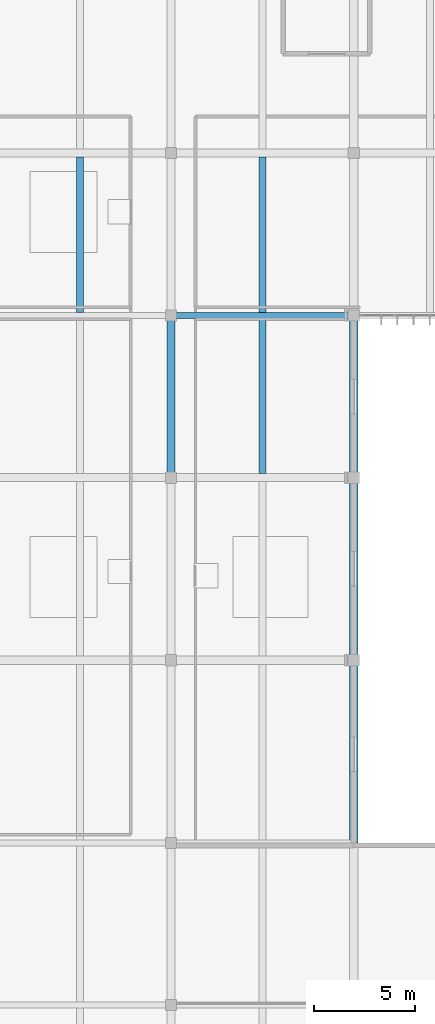
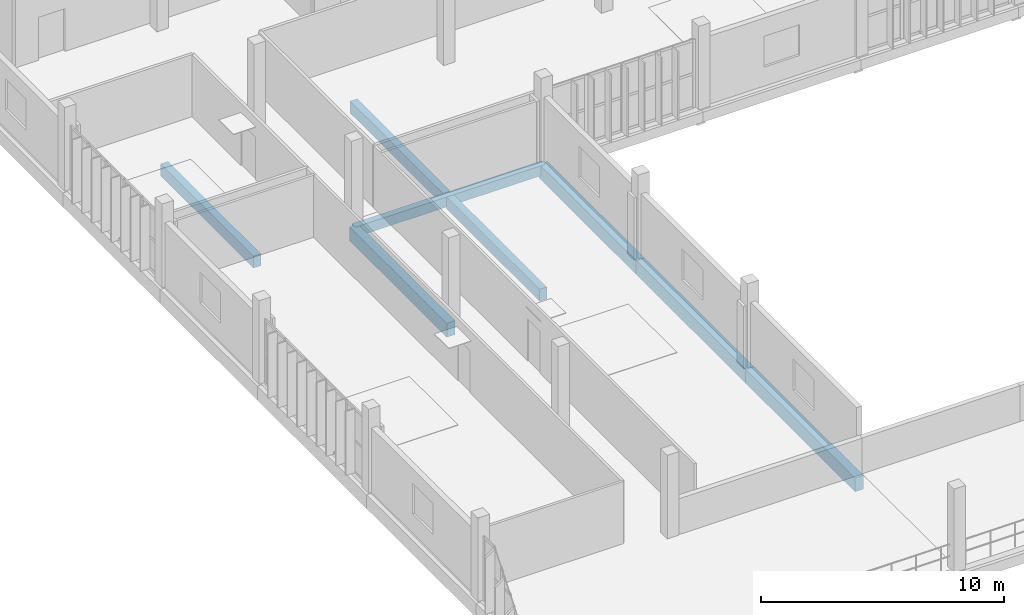
# One storey, part 9 of 61: 8 beams.
"""IFC4 building model written with IfcOpenShell, lengths in metres."""

import ifcopenshell
import ifcopenshell.guid

model = None  # the IFC model being written
_history = None  # IfcOwnerHistory: only IFC2X3 demands one
_inside = {}  # id of a spatial element -> (the spatial element, [elements in it])
_under = {}  # id of a project, library or spatial element -> (it, [spatial elements below it])
_declared = {}  # id of a project -> (the project, [libraries it declares])
_typed = {}  # id of a type object -> (the type object, [elements of that type])
_made_of = {}  # id of a material, layer set ... -> (it, [elements and type objects made of it])


def new_model(schema):
    """Start an empty IFC model of exactly this schema.

    Asked for "IFC4X3", IfcOpenShell would pick the latest addendum, in which some entities
    have other attributes; the version numbers below select the first issue.
    IFC2X3 requires an IfcOwnerHistory on every rooted entity: one is made here for all.
    """
    global model, _history
    if schema == "IFC4X3":
        model = ifcopenshell.file(schema_version=(4, 3, 0, 0))
    else:
        model = ifcopenshell.file(schema=schema)
    _inside.clear()
    _under.clear()
    _declared.clear()
    _typed.clear()
    _made_of.clear()
    _history = None
    if model.schema == "IFC2X3":
        org = make("IfcOrganization", Name="unknown")
        user = make(
            "IfcPersonAndOrganization",
            ThePerson=make("IfcPerson", FamilyName="unknown"),
            TheOrganization=org,
        )
        app = make(
            "IfcApplication",
            ApplicationDeveloper=org,
            Version="unknown",
            ApplicationFullName="unknown",
            ApplicationIdentifier="unknown",
        )
        _history = make(
            "IfcOwnerHistory",
            OwningUser=user,
            OwningApplication=app,
            ChangeAction="ADDED",
            CreationDate=0,
        )
    return model


def make(cls, **values):
    """One entity of the class cls with the attributes given. An attribute that is None is left unset."""
    return model.create_entity(
        cls, **{name: value for name, value in values.items() if value is not None}
    )


def rooted(cls, **values):
    """An entity with a GlobalId (a new one), such as an element, a storey or a relation."""
    return make(cls, GlobalId=ifcopenshell.guid.new(), OwnerHistory=_history, **values)


def si_unit(unit_type, name, prefix=None):
    """IfcSIUnit, for example si_unit("LENGTHUNIT", "METRE", prefix="MILLI")."""
    return make("IfcSIUnit", UnitType=unit_type, Prefix=prefix, Name=name)


def assignment(units):
    """IfcUnitAssignment: the units of a project."""
    return None if units is None else make("IfcUnitAssignment", Units=units)


def point(xyz):
    """IfcCartesianPoint."""
    return None if xyz is None else make("IfcCartesianPoint", Coordinates=xyz)


def direction(xyz):
    """IfcDirection."""
    return None if xyz is None else make("IfcDirection", DirectionRatios=xyz)


def frame(location, z_axis=None, x_axis=None):
    """IfcAxis2Placement3D, a coordinate frame: its origin and axes. An axis left out is left unset."""
    return make(
        "IfcAxis2Placement3D",
        Location=point(location),
        Axis=direction(z_axis),
        RefDirection=direction(x_axis),
    )


def frame_2d(location, x_axis=None):
    """IfcAxis2Placement2D, a coordinate frame in the plane: its origin and x axis."""
    return make(
        "IfcAxis2Placement2D", Location=point(location), RefDirection=direction(x_axis)
    )


def origin():
    """The frame at (0, 0, 0) with its axes left unset."""
    return frame((0.0, 0.0, 0.0))


def origin_2d():
    """The frame at (0, 0) in the plane with its x axis left unset."""
    return frame_2d((0.0, 0.0))


def place(relative_to, where):
    """IfcLocalPlacement: puts the frame where relative to a parent placement (None: the world)."""
    return make(
        "IfcLocalPlacement", PlacementRelTo=relative_to, RelativePlacement=where
    )


def context(
    kind, dimensions, precision=None, world=None, true_north=None, identifier=None
):
    """IfcGeometricRepresentationContext, for example the 3D "Model" context."""
    return make(
        "IfcGeometricRepresentationContext",
        ContextIdentifier=identifier,
        ContextType=kind,
        CoordinateSpaceDimension=dimensions,
        Precision=precision,
        WorldCoordinateSystem=world,
        TrueNorth=true_north,
    )


def subcontext(parent, identifier, kind, view, scale=None):
    """IfcGeometricRepresentationSubContext, for example "Body" below "Model"."""
    return make(
        "IfcGeometricRepresentationSubContext",
        ContextIdentifier=identifier,
        ContextType=kind,
        ParentContext=parent,
        TargetScale=scale,
        TargetView=view,
    )


def project(units=None, contexts=None):
    """IfcProject with its units and contexts."""
    return rooted(
        "IfcProject",
        Name="project",
        RepresentationContexts=contexts,
        UnitsInContext=assignment(units),
    )


def spatial(cls, under=None, at=None, **own):
    """A site, building, storey or space (cls), placed at a placement, below another one or the project."""
    s = rooted(cls, ObjectPlacement=at, **own)
    if under is not None:
        _under.setdefault(under.id(), (under, []))[1].append(s)
    return s


def profile(cls, at=None, kind="AREA", **sizes):
    """A parametric profile (cls). Its sizes go by their IFC names, for example OverallWidth=200.0."""
    return make(cls, ProfileType=kind, Position=at, **sizes)


def rectangle(**sizes):
    """IfcRectangleProfileDef."""
    return profile("IfcRectangleProfileDef", **sizes)


def extrude(swept, where, along, depth):
    """IfcExtrudedAreaSolid: the profile swept, set in the frame where, extruded along a direction by depth."""
    return make(
        "IfcExtrudedAreaSolid",
        SweptArea=swept,
        Position=where,
        ExtrudedDirection=direction(along),
        Depth=depth,
    )


def shape(context_of_items, identifier, shape_type, items):
    """IfcShapeRepresentation: the items that make up one representation, for example the "Body"."""
    return make(
        "IfcShapeRepresentation",
        ContextOfItems=context_of_items,
        RepresentationIdentifier=identifier,
        RepresentationType=shape_type,
        Items=items,
    )


def material(Name=None, Category=None):
    """IfcMaterial."""
    return make("IfcMaterial", Name=Name, Category=Category)


def material_profile(
    of_material, cross_section, Name=None, Category=None, Priority=None
):
    """IfcMaterialProfile: a cross section and its material."""
    return make(
        "IfcMaterialProfile",
        Name=Name,
        Material=of_material,
        Profile=cross_section,
        Priority=Priority,
        Category=Category,
    )


def profile_set(profiles, Name=None, composite=None):
    """IfcMaterialProfileSet."""
    return make(
        "IfcMaterialProfileSet",
        Name=Name,
        MaterialProfiles=profiles,
        CompositeProfile=composite,
    )


def made_of(thing, what):
    """Note that an element or type object is made of a material, layer set ...; save() writes the relation."""
    if what is not None:
        _made_of.setdefault(what.id(), (what, []))[1].append(thing)
    return thing


def type_object(cls, material=None, **own):
    """A type object (cls), such as IfcWallType, which elements share."""
    return made_of(rooted(cls, **own), material)


def element(
    cls,
    number,
    at=None,
    inside=None,
    cuts=None,
    type_object=None,
    material=None,
    context=None,
    identifier="Body",
    shape_type=None,
    held_by="IfcProductDefinitionShape",
    body=None,
    shapes=None,
    **own,
):
    """One element of the class cls, such as IfcWall. Its Tag is "e" and its number.

    at: its placement. inside: the storey or other place that contains it. cuts: it is an
    opening in that element (IfcRelVoidsElement). A single representation is given by context,
    identifier, shape_type and body (its items); several are given by shapes. held_by: the class
    of the entity that holds the representations. save() writes the other relations.
    """
    e = rooted(cls, Tag="e%d" % number, ObjectPlacement=at, **own)
    if body is not None:
        shapes = [shape(context, identifier, shape_type, body)]
    if shapes is not None:
        e.Representation = make(held_by, Representations=shapes)
    if inside is not None:
        _inside.setdefault(inside.id(), (inside, []))[1].append(e)
    if cuts is not None:
        rooted(
            "IfcRelVoidsElement", RelatingBuildingElement=cuts, RelatedOpeningElement=e
        )
    if type_object is not None:
        _typed.setdefault(type_object.id(), (type_object, []))[1].append(e)
    return made_of(e, material)


def aggregate(whole, parts):
    """IfcRelAggregates: a whole, such as a stair, and the parts it consists of."""
    return rooted("IfcRelAggregates", RelatingObject=whole, RelatedObjects=parts)


def save(model, path):
    """Write the relations noted so far, then the file.

    IfcRelAggregates (storeys below a building ...), IfcRelContainedInSpatialStructure (elements
    in a storey), IfcRelDefinesByType, IfcRelAssociatesMaterial and IfcRelDeclares: one each for
    every whole, place, type object, material and project.
    """
    for whole, parts in _under.values():
        aggregate(whole, parts)
    for where, things in _inside.values():
        rooted(
            "IfcRelContainedInSpatialStructure",
            RelatedElements=things,
            RelatingStructure=where,
        )
    for kind, things in _typed.values():
        rooted("IfcRelDefinesByType", RelatedObjects=things, RelatingType=kind)
    for what, things in _made_of.values():
        rooted("IfcRelAssociatesMaterial", RelatedObjects=things, RelatingMaterial=what)
    for by, libraries in _declared.values():
        rooted("IfcRelDeclares", RelatingContext=by, RelatedDefinitions=libraries)
    model.write(path)


model = new_model("IFC4")

# Units and contexts
model_context = context("Model", 3, precision=1e-05, world=origin(), true_north=direction((0.0, 1.0)))
body_context = subcontext(model_context, "Body", "Model", "MODEL_VIEW")
ifc_project = project(units=[si_unit("LENGTHUNIT", "METRE"), si_unit("AREAUNIT", "SQUARE_METRE"), si_unit("VOLUMEUNIT", "CUBIC_METRE"), si_unit("PLANEANGLEUNIT", "RADIAN"), si_unit("MASSUNIT", "GRAM", prefix="KILO")], contexts=[model_context])

# Site, building, storey
site_placement = place(None, origin())
site = spatial("IfcSite", under=ifc_project, at=site_placement, CompositionType="ELEMENT")
building_placement = place(site_placement, origin())
building = spatial("IfcBuilding", under=site, at=building_placement, Name="Vourika Railside Aquatics Centre", CompositionType="ELEMENT")
storey_placement = place(building_placement, frame((0.0, 0.0, 9.300048828125)))
storey = spatial("IfcBuildingStorey", under=building, at=storey_placement, Name="L02", CompositionType="ELEMENT", Elevation=9.300048828125)

# Beams
ifc_material = material(Name="Concrete C35/45", Category="concrete")
ifc_material_profile_1 = material_profile(ifc_material, rectangle(XDim=0.39990234375, YDim=0.699951171875, at=origin_2d()), Name="RC 400x700")
ifc_profile_set_1 = profile_set([ifc_material_profile_1], Name="Concrete C35/45")
beam_type_1 = type_object("IfcBeamType", Name="BM-GIRD-400x700", PredefinedType="BEAM", material=ifc_profile_set_1)
beam_1_placement = place(storey_placement, frame((27.0, 84.0, -0.630126953125), z_axis=(0.0, 1.0, 0.0), x_axis=(-1.0, 0.0, 0.0)))
element("IfcBeam", 1, at=beam_1_placement, inside=storey, type_object=beam_type_1, Name="Floor Girder GY-L02-164", PredefinedType="BEAM", context=body_context, shape_type="SweptSolid", body=[
    extrude(rectangle(XDim=0.39990234375, YDim=0.699951171875, at=origin_2d()), origin(), (0.0, 0.0, 1.0), 8.0),
])
for number, where, z_axis, x_axis, name in (
    (2, (36.0, 66.0, -0.630126953125), (0.0, 1.0, 0.0), (-1.0, 0.0, 0.0), "Floor Girder GY-L02-175"),
    (3, (36.0, 75.0, -0.630126953125), (0.0, 1.0, 0.0), (-1.0, 0.0, 0.0), "Floor Girder GY-L02-176"),
):
    element("IfcBeam", number, at=place(storey_placement, frame(where, z_axis=z_axis, x_axis=x_axis)), inside=storey, type_object=beam_type_1, Name=name, PredefinedType="BEAM", context=body_context, shape_type="SweptSolid", body=[
        extrude(rectangle(XDim=0.39990234375, YDim=0.699951171875, at=origin_2d()), origin(), (0.0, 0.0, 1.0), 9.0),
    ])
beam_2_placement = place(storey_placement, frame((36.0, 84.0, -0.630126953125), z_axis=(0.0, 1.0, 0.0), x_axis=(-1.0, 0.0, 0.0)))
element("IfcBeam", 4, at=beam_2_placement, inside=storey, type_object=beam_type_1, Name="Floor Girder GY-L02-177", PredefinedType="BEAM", context=body_context, shape_type="SweptSolid", body=[
    extrude(rectangle(XDim=0.39990234375, YDim=0.699951171875, at=origin_2d()), origin(), (0.0, 0.0, 1.0), 8.0),
])
ifc_material_profile_2 = material_profile(ifc_material, rectangle(XDim=0.35009765625, YDim=0.60009765625, at=origin_2d()), Name="RC 350x600")
ifc_profile_set_2 = profile_set([ifc_material_profile_2], Name="Concrete C35/45")
beam_type_2 = type_object("IfcBeamType", Name="BM-SEC-350x600", PredefinedType="JOIST", material=ifc_profile_set_2)
for number, where, z_axis, x_axis, name in (
    (5, (31.5, 84.199951171875, -0.580078125), (0.0, 1.0, 0.0), (-1.0, 0.0, 0.0), "Secondary Joist JY-L02-331"),
    (6, (22.5, 92.14990234375, -0.580078125), (0.0, 1.0, 0.0), (-1.0, 0.0, 0.0), "Secondary Joist JY-L02-334"),
    (7, (31.5, 92.14990234375, -0.580078125), (0.0, 1.0, 0.0), (-1.0, 0.0, 0.0), "Secondary Joist JY-L02-335"),
):
    element("IfcBeam", number, at=place(storey_placement, frame(where, z_axis=z_axis, x_axis=x_axis)), inside=storey, type_object=beam_type_2, Name=name, PredefinedType="JOIST", context=body_context, shape_type="SweptSolid", body=[
        extrude(rectangle(XDim=0.35009765625, YDim=0.60009765625, at=origin_2d()), origin(), (0.0, 0.0, 1.0), 7.650146484375),
    ])
ifc_material_profile_3 = material_profile(ifc_material, rectangle(XDim=0.300048828125, YDim=0.5, at=origin_2d()), Name="RC 300x500")
ifc_profile_set_3 = profile_set([ifc_material_profile_3], Name="Concrete C35/45")
beam_type_3 = type_object("IfcBeamType", Name="BM-SPAN-300x500", PredefinedType="SPANDREL", material=ifc_profile_set_3)
beam_3_placement = place(storey_placement, frame((27.0, 92.0, -0.530029296875), z_axis=(1.0, 0.0, 0.0), x_axis=(0.0, 1.0, 0.0)))
element("IfcBeam", 8, at=beam_3_placement, inside=storey, type_object=beam_type_3, Name="Floor Beam GX-L02-085", PredefinedType="SPANDREL", context=body_context, shape_type="SweptSolid", body=[
    extrude(rectangle(XDim=0.300048828125, YDim=0.5, at=origin_2d()), origin(), (0.0, 0.0, 1.0), 9.0),
])

save(model, "model.ifc")
